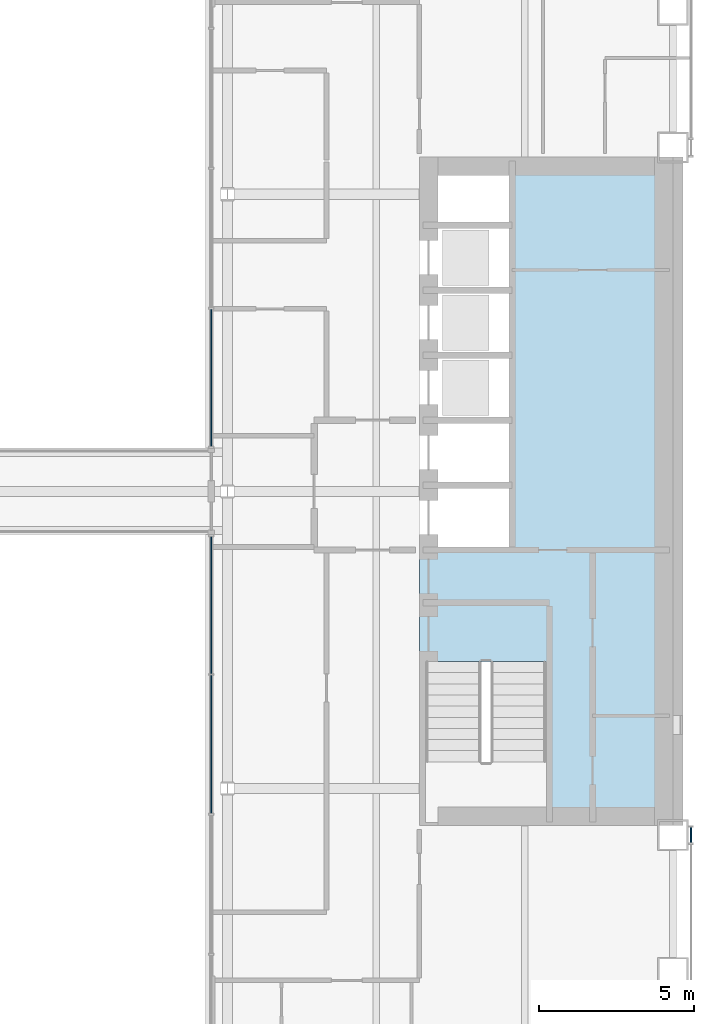
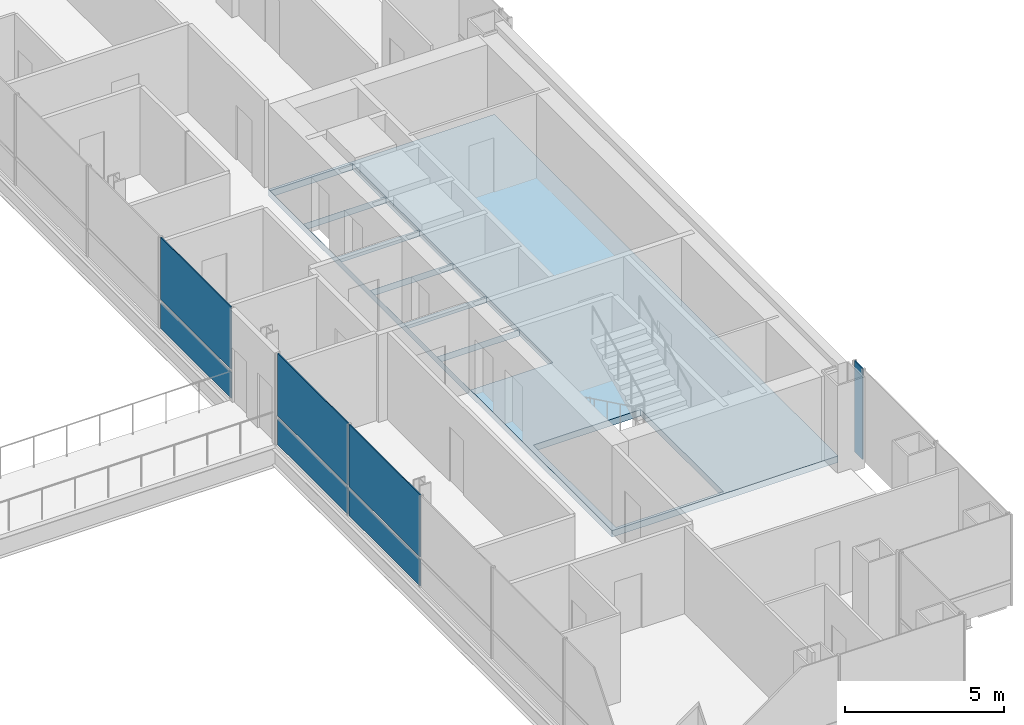
# One storey, part 10 of 18: 7 plates, 1 slab, 3 elements without a shape of their own.
"""IFC4 building model written with IfcOpenShell, lengths in metres."""

import ifcopenshell
import ifcopenshell.guid

model = None  # the IFC model being written
_history = None  # IfcOwnerHistory: only IFC2X3 demands one
_inside = {}  # id of a spatial element -> (the spatial element, [elements in it])
_under = {}  # id of a project, library or spatial element -> (it, [spatial elements below it])
_declared = {}  # id of a project -> (the project, [libraries it declares])
_typed = {}  # id of a type object -> (the type object, [elements of that type])
_made_of = {}  # id of a material, layer set ... -> (it, [elements and type objects made of it])


def new_model(schema):
    """Start an empty IFC model of exactly this schema.

    Asked for "IFC4X3", IfcOpenShell would pick the latest addendum, in which some entities
    have other attributes; the version numbers below select the first issue.
    IFC2X3 requires an IfcOwnerHistory on every rooted entity: one is made here for all.
    """
    global model, _history
    if schema == "IFC4X3":
        model = ifcopenshell.file(schema_version=(4, 3, 0, 0))
    else:
        model = ifcopenshell.file(schema=schema)
    _inside.clear()
    _under.clear()
    _declared.clear()
    _typed.clear()
    _made_of.clear()
    _history = None
    if model.schema == "IFC2X3":
        org = make("IfcOrganization", Name="unknown")
        user = make(
            "IfcPersonAndOrganization",
            ThePerson=make("IfcPerson", FamilyName="unknown"),
            TheOrganization=org,
        )
        app = make(
            "IfcApplication",
            ApplicationDeveloper=org,
            Version="unknown",
            ApplicationFullName="unknown",
            ApplicationIdentifier="unknown",
        )
        _history = make(
            "IfcOwnerHistory",
            OwningUser=user,
            OwningApplication=app,
            ChangeAction="ADDED",
            CreationDate=0,
        )
    return model


def make(cls, **values):
    """One entity of the class cls with the attributes given. An attribute that is None is left unset."""
    return model.create_entity(
        cls, **{name: value for name, value in values.items() if value is not None}
    )


def rooted(cls, **values):
    """An entity with a GlobalId (a new one), such as an element, a storey or a relation."""
    return make(cls, GlobalId=ifcopenshell.guid.new(), OwnerHistory=_history, **values)


def si_unit(unit_type, name, prefix=None):
    """IfcSIUnit, for example si_unit("LENGTHUNIT", "METRE", prefix="MILLI")."""
    return make("IfcSIUnit", UnitType=unit_type, Prefix=prefix, Name=name)


def assignment(units):
    """IfcUnitAssignment: the units of a project."""
    return None if units is None else make("IfcUnitAssignment", Units=units)


def point(xyz):
    """IfcCartesianPoint."""
    return None if xyz is None else make("IfcCartesianPoint", Coordinates=xyz)


def direction(xyz):
    """IfcDirection."""
    return None if xyz is None else make("IfcDirection", DirectionRatios=xyz)


def frame(location, z_axis=None, x_axis=None):
    """IfcAxis2Placement3D, a coordinate frame: its origin and axes. An axis left out is left unset."""
    return make(
        "IfcAxis2Placement3D",
        Location=point(location),
        Axis=direction(z_axis),
        RefDirection=direction(x_axis),
    )


def frame_2d(location, x_axis=None):
    """IfcAxis2Placement2D, a coordinate frame in the plane: its origin and x axis."""
    return make(
        "IfcAxis2Placement2D", Location=point(location), RefDirection=direction(x_axis)
    )


def origin():
    """The frame at (0, 0, 0) with its axes left unset."""
    return frame((0.0, 0.0, 0.0))


def origin_2d():
    """The frame at (0, 0) in the plane with its x axis left unset."""
    return frame_2d((0.0, 0.0))


def place(relative_to, where):
    """IfcLocalPlacement: puts the frame where relative to a parent placement (None: the world)."""
    return make(
        "IfcLocalPlacement", PlacementRelTo=relative_to, RelativePlacement=where
    )


def context(
    kind, dimensions, precision=None, world=None, true_north=None, identifier=None
):
    """IfcGeometricRepresentationContext, for example the 3D "Model" context."""
    return make(
        "IfcGeometricRepresentationContext",
        ContextIdentifier=identifier,
        ContextType=kind,
        CoordinateSpaceDimension=dimensions,
        Precision=precision,
        WorldCoordinateSystem=world,
        TrueNorth=true_north,
    )


def subcontext(parent, identifier, kind, view, scale=None):
    """IfcGeometricRepresentationSubContext, for example "Body" below "Model"."""
    return make(
        "IfcGeometricRepresentationSubContext",
        ContextIdentifier=identifier,
        ContextType=kind,
        ParentContext=parent,
        TargetScale=scale,
        TargetView=view,
    )


def project(units=None, contexts=None):
    """IfcProject with its units and contexts."""
    return rooted(
        "IfcProject",
        Name="project",
        RepresentationContexts=contexts,
        UnitsInContext=assignment(units),
    )


def spatial(cls, under=None, at=None, **own):
    """A site, building, storey or space (cls), placed at a placement, below another one or the project."""
    s = rooted(cls, ObjectPlacement=at, **own)
    if under is not None:
        _under.setdefault(under.id(), (under, []))[1].append(s)
    return s


def polyline(points):
    """IfcPolyline through the points."""
    return make("IfcPolyline", Points=[point(p) for p in points])


def profile(cls, at=None, kind="AREA", **sizes):
    """A parametric profile (cls). Its sizes go by their IFC names, for example OverallWidth=200.0."""
    return make(cls, ProfileType=kind, Position=at, **sizes)


def rectangle(**sizes):
    """IfcRectangleProfileDef."""
    return profile("IfcRectangleProfileDef", **sizes)


def outline(outer, holes=None, kind="AREA"):
    """IfcArbitraryClosedProfileDef: a profile drawn as a closed curve; with holes, ...WithVoids."""
    if holes is None:
        return make("IfcArbitraryClosedProfileDef", ProfileType=kind, OuterCurve=outer)
    return make(
        "IfcArbitraryProfileDefWithVoids",
        ProfileType=kind,
        OuterCurve=outer,
        InnerCurves=holes,
    )


def extrude(swept, where, along, depth):
    """IfcExtrudedAreaSolid: the profile swept, set in the frame where, extruded along a direction by depth."""
    return make(
        "IfcExtrudedAreaSolid",
        SweptArea=swept,
        Position=where,
        ExtrudedDirection=direction(along),
        Depth=depth,
    )


def shape(context_of_items, identifier, shape_type, items):
    """IfcShapeRepresentation: the items that make up one representation, for example the "Body"."""
    return make(
        "IfcShapeRepresentation",
        ContextOfItems=context_of_items,
        RepresentationIdentifier=identifier,
        RepresentationType=shape_type,
        Items=items,
    )


def material(Name=None, Category=None):
    """IfcMaterial."""
    return make("IfcMaterial", Name=Name, Category=Category)


def layer(
    of_material, thickness, ventilated=None, Name=None, Category=None, Priority=None
):
    """IfcMaterialLayer: one layer of a wall or slab, of a material (None: an air gap)."""
    return make(
        "IfcMaterialLayer",
        Material=of_material,
        LayerThickness=thickness,
        IsVentilated=ventilated,
        Name=Name,
        Category=Category,
        Priority=Priority,
    )


def layer_set(layers, Name=None):
    """IfcMaterialLayerSet."""
    return make("IfcMaterialLayerSet", MaterialLayers=layers, LayerSetName=Name)


def made_of(thing, what):
    """Note that an element or type object is made of a material, layer set ...; save() writes the relation."""
    if what is not None:
        _made_of.setdefault(what.id(), (what, []))[1].append(thing)
    return thing


def type_object(cls, material=None, **own):
    """A type object (cls), such as IfcWallType, which elements share."""
    return made_of(rooted(cls, **own), material)


def element(
    cls,
    number,
    at=None,
    inside=None,
    cuts=None,
    type_object=None,
    material=None,
    context=None,
    identifier="Body",
    shape_type=None,
    held_by="IfcProductDefinitionShape",
    body=None,
    shapes=None,
    **own,
):
    """One element of the class cls, such as IfcWall. Its Tag is "e" and its number.

    at: its placement. inside: the storey or other place that contains it. cuts: it is an
    opening in that element (IfcRelVoidsElement). A single representation is given by context,
    identifier, shape_type and body (its items); several are given by shapes. held_by: the class
    of the entity that holds the representations. save() writes the other relations.
    """
    e = rooted(cls, Tag="e%d" % number, ObjectPlacement=at, **own)
    if body is not None:
        shapes = [shape(context, identifier, shape_type, body)]
    if shapes is not None:
        e.Representation = make(held_by, Representations=shapes)
    if inside is not None:
        _inside.setdefault(inside.id(), (inside, []))[1].append(e)
    if cuts is not None:
        rooted(
            "IfcRelVoidsElement", RelatingBuildingElement=cuts, RelatedOpeningElement=e
        )
    if type_object is not None:
        _typed.setdefault(type_object.id(), (type_object, []))[1].append(e)
    return made_of(e, material)


def aggregate(whole, parts):
    """IfcRelAggregates: a whole, such as a stair, and the parts it consists of."""
    return rooted("IfcRelAggregates", RelatingObject=whole, RelatedObjects=parts)


def save(model, path):
    """Write the relations noted so far, then the file.

    IfcRelAggregates (storeys below a building ...), IfcRelContainedInSpatialStructure (elements
    in a storey), IfcRelDefinesByType, IfcRelAssociatesMaterial and IfcRelDeclares: one each for
    every whole, place, type object, material and project.
    """
    for whole, parts in _under.values():
        aggregate(whole, parts)
    for where, things in _inside.values():
        rooted(
            "IfcRelContainedInSpatialStructure",
            RelatedElements=things,
            RelatingStructure=where,
        )
    for kind, things in _typed.values():
        rooted("IfcRelDefinesByType", RelatedObjects=things, RelatingType=kind)
    for what, things in _made_of.values():
        rooted("IfcRelAssociatesMaterial", RelatedObjects=things, RelatingMaterial=what)
    for by, libraries in _declared.values():
        rooted("IfcRelDeclares", RelatingContext=by, RelatedDefinitions=libraries)
    model.write(path)


model = new_model("IFC4")

# Units and contexts
model_context = context("Model", 3, precision=1e-05, world=origin(), true_north=direction((0.0, 1.0)))
body_context = subcontext(model_context, "Body", "Model", "MODEL_VIEW")
ifc_project = project(units=[si_unit("LENGTHUNIT", "METRE"), si_unit("AREAUNIT", "SQUARE_METRE"), si_unit("VOLUMEUNIT", "CUBIC_METRE"), si_unit("PLANEANGLEUNIT", "RADIAN"), si_unit("MASSUNIT", "GRAM", prefix="KILO")], contexts=[model_context])

# Site, building, storey
site_placement = place(None, origin())
site = spatial("IfcSite", under=ifc_project, at=site_placement, CompositionType="ELEMENT")
building_placement = place(site_placement, origin())
building = spatial("IfcBuilding", under=site, at=building_placement, Name="Cobrizo Arcos Hotel Tower", CompositionType="ELEMENT")
storey_placement = place(building_placement, frame((0.0, 0.0, 77.5)))
storey = spatial("IfcBuildingStorey", under=building, at=storey_placement, Name="L18", CompositionType="ELEMENT", Elevation=77.5)

# Curtain wall, plate
ifc_material_1 = material(Name="Aluminium 6063-T6 anodised bronze", Category="aluminium")
curtain_wall_type_1 = type_object("IfcCurtainWallType", Name="CW-A guest facade", PredefinedType="NOTDEFINED", material=ifc_material_1)
curtain_wall_1_placement = place(storey_placement, origin())
curtain_wall_1 = element("IfcCurtainWall", 1, at=curtain_wall_1_placement, inside=storey, type_object=curtain_wall_type_1, Name="CW-A L18 E face", PredefinedType="NOTDEFINED")
ifc_material_2 = material(Name="Aluminium composite panel pale metal", Category="aluminium")
ifc_layer_1 = layer(ifc_material_2, 0.0400390625)
ifc_layer_set_1 = layer_set([ifc_layer_1], Name="CW-A spandrel panel")
plate_type_1 = type_object("IfcPlateType", Name="CW-A spandrel panel", PredefinedType="CURTAIN_PANEL", material=ifc_layer_set_1)
plate_1_placement = place(storey_placement, frame((24.574951171875, -11.109375, 0.0), z_axis=(0.0, 0.0, 1.0), x_axis=(0.0, 1.0, 0.0)))
plate_1 = element("IfcPlate", 2, at=plate_1_placement, type_object=plate_type_1, Name="CW-A spandrel panel 759", PredefinedType="CURTAIN_PANEL", context=body_context, shape_type="SweptSolid", body=[
    extrude(rectangle(XDim=0.498779296875, YDim=0.0400390625, at=origin_2d()), origin(), (0.0, 0.0, 1.0), 3.5),
])
aggregate(curtain_wall_1, [plate_1])

# Curtain wall, plates
curtain_wall_type_2 = type_object("IfcCurtainWallType", Name="CW-F void screen", PredefinedType="NOTDEFINED", material=ifc_material_1)
curtain_wall_2_placement = place(storey_placement, origin())
curtain_wall_2 = element("IfcCurtainWall", 3, at=curtain_wall_2_placement, inside=storey, type_object=curtain_wall_type_2, Name="CW-F L18 void screen A", PredefinedType="NOTDEFINED")
ifc_material_3 = material(Name="Glass clear laminated low-e", Category="glass")
ifc_layer_2 = layer(ifc_material_3, 0.0400390625)
ifc_layer_set_2 = layer_set([ifc_layer_2], Name="CW-F glass panel")
plate_type_2 = type_object("IfcPlateType", Name="CW-F glass panel", PredefinedType="CURTAIN_PANEL", material=ifc_layer_set_2)
plate_2_placement = place(storey_placement, frame((9.074951171875, -8.179931640625, 0.0), z_axis=(0.0, 0.0, 1.0), x_axis=(0.0, 1.0, 0.0)))
plate_2 = element("IfcPlate", 4, at=plate_2_placement, type_object=plate_type_2, Name="CW-F glass panel 2531", PredefinedType="CURTAIN_PANEL", context=body_context, shape_type="SweptSolid", body=[
    extrude(rectangle(XDim=4.4599609375, YDim=0.0400390625, at=origin_2d()), origin(), (0.0, 0.0, 1.0), 0.989990234375),
])
plate_3_placement = place(storey_placement, frame((9.074951171875, -8.179931640625, 1.10986328125), z_axis=(0.0, 0.0, 1.0), x_axis=(0.0, 1.0, 0.0)))
plate_3 = element("IfcPlate", 5, at=plate_3_placement, type_object=plate_type_2, Name="CW-F glass panel 2531", PredefinedType="CURTAIN_PANEL", context=body_context, shape_type="SweptSolid", body=[
    extrude(rectangle(XDim=4.4599609375, YDim=0.0400390625, at=origin_2d()), origin(), (0.0, 0.0, 1.0), 2.389892578125),
])
plate_4_placement = place(storey_placement, frame((9.074951171875, -3.675048828125, 0.0), z_axis=(0.0, 0.0, 1.0), x_axis=(0.0, 1.0, 0.0)))
plate_4 = element("IfcPlate", 6, at=plate_4_placement, type_object=plate_type_2, Name="CW-F glass panel 2532", PredefinedType="CURTAIN_PANEL", context=body_context, shape_type="SweptSolid", body=[
    extrude(rectangle(XDim=4.429931640625, YDim=0.0400390625, at=origin_2d()), origin(), (0.0, 0.0, 1.0), 0.989990234375),
])
plate_5_placement = place(storey_placement, frame((9.074951171875, -3.675048828125, 1.10986328125), z_axis=(0.0, 0.0, 1.0), x_axis=(0.0, 1.0, 0.0)))
plate_5 = element("IfcPlate", 7, at=plate_5_placement, type_object=plate_type_2, Name="CW-F glass panel 2532", PredefinedType="CURTAIN_PANEL", context=body_context, shape_type="SweptSolid", body=[
    extrude(rectangle(XDim=4.429931640625, YDim=0.0400390625, at=origin_2d()), origin(), (0.0, 0.0, 1.0), 2.389892578125),
])
aggregate(curtain_wall_2, [plate_2, plate_3, plate_4, plate_5])

curtain_wall_3_placement = place(storey_placement, origin())
curtain_wall_3 = element("IfcCurtainWall", 8, at=curtain_wall_3_placement, inside=storey, type_object=curtain_wall_type_2, Name="CW-F L18 void screen A", PredefinedType="NOTDEFINED")
plate_6_placement = place(storey_placement, frame((9.074951171875, 3.675048828125, 0.0), z_axis=(0.0, 0.0, 1.0), x_axis=(0.0, 1.0, 0.0)))
plate_6 = element("IfcPlate", 9, at=plate_6_placement, type_object=plate_type_2, Name="CW-F glass panel 2533", PredefinedType="CURTAIN_PANEL", context=body_context, shape_type="SweptSolid", body=[
    extrude(rectangle(XDim=4.429931640625, YDim=0.0400390625, at=origin_2d()), origin(), (0.0, 0.0, 1.0), 0.989990234375),
])
plate_7_placement = place(storey_placement, frame((9.074951171875, 3.675048828125, 1.10986328125), z_axis=(0.0, 0.0, 1.0), x_axis=(0.0, 1.0, 0.0)))
plate_7 = element("IfcPlate", 10, at=plate_7_placement, type_object=plate_type_2, Name="CW-F glass panel 2533", PredefinedType="CURTAIN_PANEL", context=body_context, shape_type="SweptSolid", body=[
    extrude(rectangle(XDim=4.429931640625, YDim=0.0400390625, at=origin_2d()), origin(), (0.0, 0.0, 1.0), 2.389892578125),
])
aggregate(curtain_wall_3, [plate_6, plate_7])

# Slab
ifc_material_4 = material(Name="Concrete f'c 60 MPa", Category="concrete")
ifc_layer_3 = layer(ifc_material_4, 0.25)
ifc_layer_set_3 = layer_set([ifc_layer_3], Name="RC core floor slab 250 f'c 60")
slab_type = type_object("IfcSlabType", Name="RC core floor slab 250 f'c 60", PredefinedType="FLOOR", material=ifc_layer_set_3)
slab_placement = place(storey_placement, frame((0.0, 0.0, -0.25)))
element("IfcSlab", 11, at=slab_placement, inside=storey, type_object=slab_type, Name="Core floor slab CS3, east core, L18", PredefinedType="FLOOR", context=body_context, shape_type="SweptSolid", body=[
    extrude(outline(polyline([(15.800048828125, 10.800048828125), (24.0, 10.800048828125), (24.0, -10.800048828125), (15.800048828125, -10.800048828125), (15.800048828125, 10.800048828125)]), holes=[polyline([(19.89794921875, -10.697998046875), (19.89794921875, -5.501953125), (16.001953125, -5.501953125), (16.001953125, -10.697998046875), (19.89794921875, -10.697998046875)]), polyline([(15.802001953125, 0.197998046875), (15.802001953125, -1.89794921875), (18.798095703125, -1.89794921875), (18.798095703125, 0.197998046875), (15.802001953125, 0.197998046875)]), polyline([(18.798095703125, 2.298095703125), (15.802001953125, 2.298095703125), (15.802001953125, 0.201904296875), (18.798095703125, 0.201904296875), (18.798095703125, 2.298095703125)]), polyline([(18.798095703125, 4.39794921875), (15.802001953125, 4.39794921875), (15.802001953125, 2.302001953125), (18.798095703125, 2.302001953125), (18.798095703125, 4.39794921875)]), polyline([(15.802001953125, 6.498046875), (15.802001953125, 4.402099609375), (18.798095703125, 4.402099609375), (18.798095703125, 6.498046875), (15.802001953125, 6.498046875)]), polyline([(18.798095703125, 8.597900390625), (15.802001953125, 8.597900390625), (15.802001953125, 6.501953125), (18.798095703125, 6.501953125), (18.798095703125, 8.597900390625)]), polyline([(18.798095703125, 10.697998046875), (15.802001953125, 10.697998046875), (15.802001953125, 8.60205078125), (18.798095703125, 8.60205078125), (18.798095703125, 10.697998046875)])]), origin(), (0.0, 0.0, 1.0), 0.25),
])

save(model, "model.ifc")
